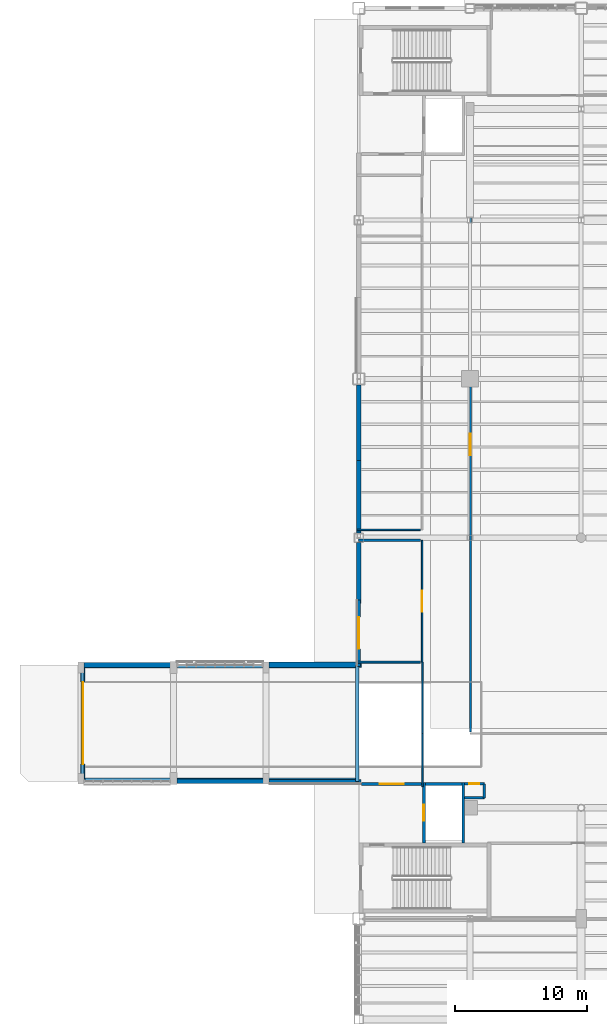
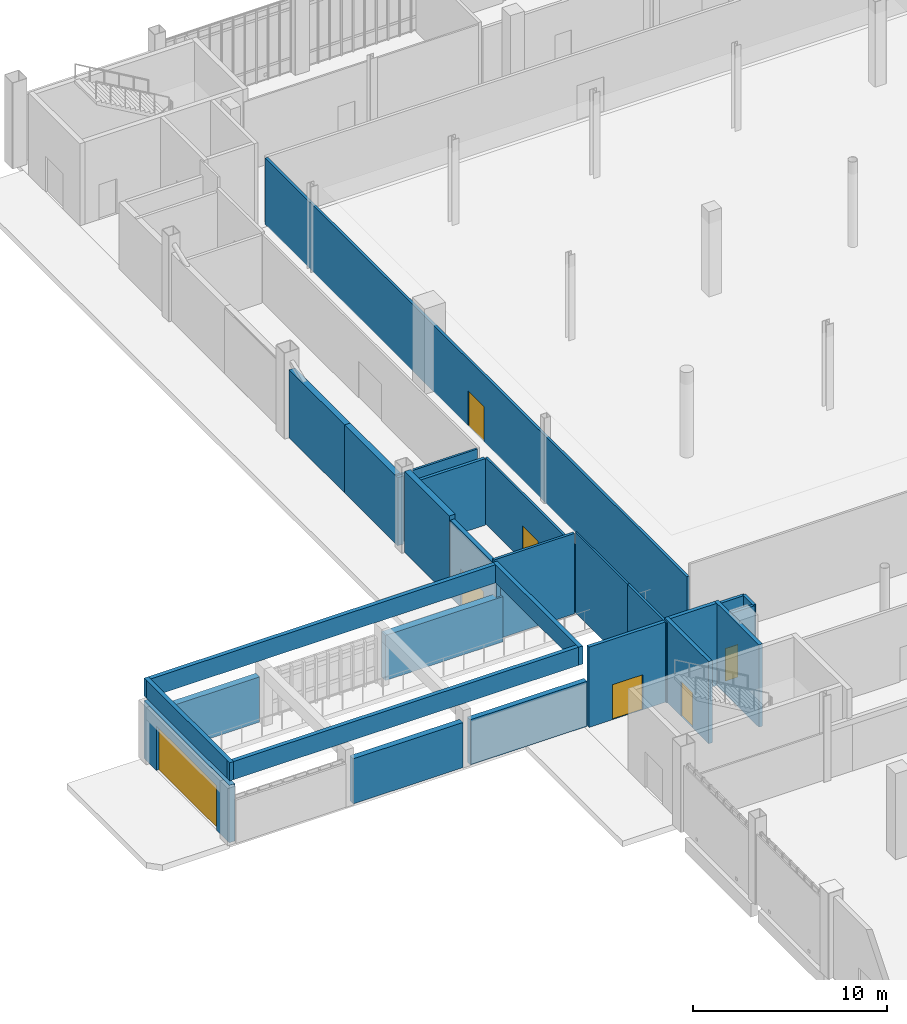
# One storey, part 85 of 111: 27 walls, 7 doors, 7 openings.
"""IFC4 building model written with IfcOpenShell, lengths in metres."""

from ifc_helpers import new_model, si_unit, direction, frame, frame_2d, origin, place, context, subcontext, project, spatial, rectangle, extrude, material, layer, layer_set, type_object, element, fill, save


model = new_model("IFC4")

# Units and contexts
model_context = context("Model", 3, precision=1e-05, world=origin(), true_north=direction((0.0, 1.0)))
body_context = subcontext(model_context, "Body", "Model", "MODEL_VIEW")
ifc_project = project(units=[si_unit("LENGTHUNIT", "METRE"), si_unit("AREAUNIT", "SQUARE_METRE"), si_unit("VOLUMEUNIT", "CUBIC_METRE"), si_unit("PLANEANGLEUNIT", "RADIAN"), si_unit("MASSUNIT", "GRAM", prefix="KILO")], contexts=[model_context])

# Site, building, storey
site_placement = place(None, origin())
site = spatial("IfcSite", under=ifc_project, at=site_placement, CompositionType="ELEMENT")
building_placement = place(site_placement, origin())
building = spatial("IfcBuilding", under=site, at=building_placement, Name="Larkvane Passage Sports Hall", CompositionType="ELEMENT")
storey_placement = place(building_placement, origin())
storey = spatial("IfcBuildingStorey", under=building, at=storey_placement, Name="L00", CompositionType="ELEMENT", Elevation=0.0)

# Wall, opening, door
ifc_material_1 = material(Name="Concrete C40/50", Category="concrete")
ifc_layer_1 = layer(ifc_material_1, 0.239990234375)
ifc_layer_set_1 = layer_set([ifc_layer_1], Name="Concrete C40/50")
wall_type_1 = type_object("IfcWallType", Name="WL-EXT-240", PredefinedType="SOLIDWALL", material=ifc_layer_set_1)
wall_1_placement = place(storey_placement, frame((34.800048828125, 41.884765625, 0.0), z_axis=(0.0, 0.0, 1.0), x_axis=(0.0, 1.0, 0.0)))
wall_1 = element("IfcWall", 1, at=wall_1_placement, inside=storey, type_object=wall_type_1, Name="Exterior wall WAL-EXT-L00-012", PredefinedType="SOLIDWALL", context=body_context, shape_type="SweptSolid", body=[
    extrude(rectangle(XDim=5.030517578125, YDim=0.239990234375, at=frame_2d((2.51513671875, 0.0))), origin(), (0.0, 0.0, 1.0), 4.818115234375),
])
opening_1_placement = place(wall_1_placement, frame((1.31494140625, 0.0, 0.0)))
opening_1 = element("IfcOpeningElement", 2, at=opening_1_placement, cuts=wall_1, Name="Opening DE-01", PredefinedType="OPENING", context=body_context, shape_type="SweptSolid", body=[
    extrude(rectangle(XDim=2.39990234375, YDim=2.39990234375, at=frame_2d((1.199951171875, 1.199951171875))), frame((0.0, 0.1298828125, 0.0), z_axis=(0.0, -1.0, 0.0), x_axis=(1.0, 0.0, 0.0)), (0.0, 0.0, 1.0), 0.260009765625),
])
ifc_material_2 = material(Name="Anodised aluminium and toughened glass", Category="aluminium")
door_type_1 = type_object("IfcDoorType", Name="DR-ENTR-2400", OperationType="DOUBLE_DOOR_SINGLE_SWING", PredefinedType="DOOR", material=ifc_material_2)
door_1_placement = place(opening_1_placement, origin())
door_1 = element("IfcDoor", 3, at=door_1_placement, inside=storey, type_object=door_type_1, Name="Exterior door L00-008", OperationType="DOUBLE_DOOR_SINGLE_SWING", OverallHeight=2.39990234375, OverallWidth=2.39990234375, PredefinedType="DOOR", context=body_context, shape_type="SweptSolid", body=[
    extrude(rectangle(XDim=2.39990234375, YDim=2.39990234375, at=frame_2d((1.199951171875, 1.199951171875))), frame((0.0, 0.02490234375, 0.0), z_axis=(0.0, -1.0, 0.0), x_axis=(1.0, 0.0, 0.0)), (0.0, 0.0, 1.0), 0.050048828125),
])
fill(opening_1, door_1)

# Wall
ifc_material_3 = material(Name="Precast concrete C45/55", Category="concrete")
ifc_layer_2 = layer(ifc_material_3, 0.31005859375)
ifc_layer_set_2 = layer_set([ifc_layer_2], Name="Precast concrete C45/55")
wall_type_2 = type_object("IfcWallType", Name="WL-EXT-310", PredefinedType="SOLIDWALL", material=ifc_layer_set_2)
wall_2_placement = place(storey_placement, frame((34.94873046875, 33.199951171875, 0.0), z_axis=(0.0, 0.0, 1.0), x_axis=(-1.0, 0.0, 0.0)))
element("IfcWall", 4, at=wall_2_placement, inside=storey, type_object=wall_type_2, Name="Exterior wall WAL-EXT-L00-008", PredefinedType="SOLIDWALL", context=body_context, shape_type="SweptSolid", body=[
    extrude(rectangle(XDim=6.927734375, YDim=0.31005859375, at=frame_2d((3.4638671875, 0.0))), origin(), (0.0, 0.0, 1.0), 2.837890625),
])

# Wall, opening, door
ifc_layer_3 = layer(ifc_material_3, 0.344970703125)
ifc_layer_set_3 = layer_set([ifc_layer_3], Name="Precast concrete C45/55")
wall_type_3 = type_object("IfcWallType", Name="WL-EXT-345", PredefinedType="SOLIDWALL", material=ifc_layer_set_3)
wall_3_placement = place(storey_placement, frame((13.949951171875, 33.199951171875, 0.0), z_axis=(0.0, 0.0, 1.0), x_axis=(0.0, 1.0, 0.0)))
wall_3 = element("IfcWall", 5, at=wall_3_placement, inside=storey, type_object=wall_type_3, Name="Basement vehicle ramp portal head wall", PredefinedType="SOLIDWALL", context=body_context, shape_type="SweptSolid", body=[
    extrude(rectangle(XDim=8.800048828125, YDim=0.344970703125, at=frame_2d((4.39990234375, 0.0))), origin(), (0.0, 0.0, 1.0), 3.60009765625),
])
opening_2_placement = place(wall_3_placement, frame((1.300048828125, 0.0, 0.0)))
opening_2 = element("IfcOpeningElement", 6, at=opening_2_placement, cuts=wall_3, Name="Opening VG-01", PredefinedType="OPENING", context=body_context, shape_type="SweptSolid", body=[
    extrude(rectangle(XDim=6.199951171875, YDim=2.800048828125, at=frame_2d((3.10009765625, 1.39990234375))), frame((0.0, 0.182373046875, 0.0), z_axis=(0.0, -1.0, 0.0), x_axis=(1.0, 0.0, 0.0)), (0.0, 0.0, 1.0), 0.364990234375),
])
ifc_material_4 = material(Name="Perforated galvanised steel S355JR gate", Category="steel")
door_type_2 = type_object("IfcDoorType", Name="DR-VGATE-6200", OperationType="ROLLINGUP", PredefinedType="GATE", material=ifc_material_4)
door_2_placement = place(opening_2_placement, origin())
door_2 = element("IfcDoor", 7, at=door_2_placement, inside=storey, type_object=door_type_2, Name="Vehicle ramp roller shutter gate VG-01", OperationType="ROLLINGUP", OverallHeight=2.800048828125, OverallWidth=6.199951171875, PredefinedType="GATE", context=body_context, shape_type="SweptSolid", body=[
    extrude(rectangle(XDim=6.199951171875, YDim=2.800048828125, at=frame_2d((3.10009765625, 1.39990234375))), frame((0.0, 0.02490234375, 0.0), z_axis=(0.0, -1.0, 0.0), x_axis=(1.0, 0.0, 0.0)), (0.0, 0.0, 1.0), 0.050048828125),
])
fill(opening_2, door_2)

# Walls
wall_4_placement = place(storey_placement, frame((27.5791015625, 33.199951171875, 0.0), z_axis=(0.0, 0.0, 1.0), x_axis=(-1.0, 0.0, 0.0)))
element("IfcWall", 8, at=wall_4_placement, inside=storey, type_object=wall_type_3, Name="Exterior wall WAL-EXT-L00-009", PredefinedType="SOLIDWALL", context=body_context, shape_type="SweptSolid", body=[
    extrude(rectangle(XDim=6.533203125, YDim=0.344970703125, at=frame_2d((3.2666015625, 0.0))), origin(), (0.0, 0.0, 1.0), 2.837890625),
])
wall_5_placement = place(storey_placement, frame((34.800048828125, 46.634521484375, 0.0), z_axis=(0.0, 0.0, 1.0), x_axis=(0.0, 1.0, 0.0)))
element("IfcWall", 9, at=wall_5_placement, inside=storey, type_object=wall_type_3, Name="Exterior wall WAL-EXT-L00-013", PredefinedType="SOLIDWALL", context=body_context, shape_type="SweptSolid", body=[
    extrude(rectangle(XDim=4.619384765625, YDim=0.344970703125, at=frame_2d((2.3095703125, 0.0))), origin(), (0.0, 0.0, 1.0), 5.10009765625),
])
wall_6_placement = place(storey_placement, frame((34.800048828125, 51.946044921875, 0.0), z_axis=(0.0, 0.0, 1.0), x_axis=(0.0, 1.0, 0.0)))
element("IfcWall", 10, at=wall_6_placement, inside=storey, type_object=wall_type_3, Name="Exterior wall WAL-EXT-L00-014", PredefinedType="SOLIDWALL", context=body_context, shape_type="SweptSolid", body=[
    extrude(rectangle(XDim=5.819580078125, YDim=0.344970703125, at=frame_2d((2.90966796875, 0.0))), origin(), (0.0, 0.0, 1.0), 4.27587890625),
])
wall_7_placement = place(storey_placement, frame((34.800048828125, 57.434326171875, 0.0), z_axis=(0.0, 0.0, 1.0), x_axis=(0.0, 1.0, 0.0)))
element("IfcWall", 11, at=wall_7_placement, inside=storey, type_object=wall_type_3, Name="Exterior wall WAL-EXT-L00-015", PredefinedType="SOLIDWALL", context=body_context, shape_type="SweptSolid", body=[
    extrude(rectangle(XDim=5.7197265625, YDim=0.344970703125, at=frame_2d((2.85986328125, 0.0))), origin(), (0.0, 0.0, 1.0), 4.27587890625),
])
ifc_layer_4 = layer(ifc_material_1, 0.385009765625)
ifc_layer_set_4 = layer_set([ifc_layer_4], Name="Concrete C40/50")
wall_type_4 = type_object("IfcWallType", Name="WL-EXT-385", PredefinedType="SOLIDWALL", material=ifc_layer_set_4)
wall_8_placement = place(storey_placement, frame((14.02099609375, 42.0, 0.0), z_axis=(0.0, 0.0, 1.0), x_axis=(1.0, 0.0, 0.0)))
element("IfcWall", 12, at=wall_8_placement, inside=storey, type_object=wall_type_4, Name="Exterior wall WAL-EXT-L00-010", PredefinedType="SOLIDWALL", context=body_context, shape_type="SweptSolid", body=[
    extrude(rectangle(XDim=6.532958984375, YDim=0.385009765625, at=frame_2d((3.2666015625, 0.0))), origin(), (0.0, 0.0, 1.0), 2.837890625),
])
ifc_layer_5 = layer(ifc_material_1, 0.425048828125)
ifc_layer_set_5 = layer_set([ifc_layer_5], Name="Concrete C40/50")
wall_type_5 = type_object("IfcWallType", Name="WL-EXT-425", PredefinedType="SOLIDWALL", material=ifc_layer_set_5)
wall_9_placement = place(storey_placement, frame((28.02099609375, 42.0, 0.0), z_axis=(0.0, 0.0, 1.0), x_axis=(1.0, 0.0, 0.0)))
element("IfcWall", 13, at=wall_9_placement, inside=storey, type_object=wall_type_5, Name="Exterior wall WAL-EXT-L00-011", PredefinedType="SOLIDWALL", context=body_context, shape_type="SweptSolid", body=[
    extrude(rectangle(XDim=6.98291015625, YDim=0.425048828125, at=frame_2d((3.491455078125, 0.0))), origin(), (0.0, 0.0, 1.0), 2.837890625),
])

# Wall, opening, door
ifc_layer_6 = layer(ifc_material_1, 0.199951171875)
ifc_layer_set_6 = layer_set([ifc_layer_6], Name="Concrete C40/50")
wall_type_6 = type_object("IfcWallType", Name="WL-LOBBY-200", PredefinedType="SOLIDWALL", material=ifc_layer_set_6)
wall_10_placement = place(storey_placement, frame((35.0, 33.0, 0.0), z_axis=(0.0, 0.0, 1.0), x_axis=(1.0, 0.0, 0.0)))
wall_10 = element("IfcWall", 14, at=wall_10_placement, inside=storey, type_object=wall_type_6, Name="Protected stair lobby wall C1 L00", PredefinedType="SOLIDWALL", context=body_context, shape_type="SweptSolid", body=[
    extrude(rectangle(XDim=4.60009765625, YDim=0.199951171875, at=frame_2d((2.300048828125, 0.0))), origin(), (0.0, 0.0, 1.0), 5.050048828125),
])
opening_3_placement = place(wall_10_placement, frame((1.39990234375, 0.0, 0.0)))
opening_3 = element("IfcOpeningElement", 15, at=opening_3_placement, cuts=wall_10, Name="Opening DF-02", PredefinedType="OPENING", context=body_context, shape_type="SweptSolid", body=[
    extrude(rectangle(XDim=1.800048828125, YDim=2.199951171875, at=frame_2d((0.89990234375, 1.10009765625))), frame((0.0, 0.10986328125, 0.0), z_axis=(0.0, -1.0, 0.0), x_axis=(1.0, 0.0, 0.0)), (0.0, 0.0, 1.0), 0.219970703125),
])
ifc_material_5 = material(Name="Steel S355JR double smoke-sealed fire door", Category="steel")
door_type_3 = type_object("IfcDoorType", Name="DR-FIRE-1800", OperationType="DOUBLE_DOOR_SINGLE_SWING", PredefinedType="DOOR", material=ifc_material_5)
door_3_placement = place(opening_3_placement, origin())
door_3 = element("IfcDoor", 16, at=door_3_placement, inside=storey, type_object=door_type_3, Name="Lobby smoke door C1 L00", OperationType="DOUBLE_DOOR_SINGLE_SWING", OverallHeight=2.199951171875, OverallWidth=1.800048828125, PredefinedType="DOOR", context=body_context, shape_type="SweptSolid", body=[
    extrude(rectangle(XDim=1.800048828125, YDim=2.199951171875, at=frame_2d((0.89990234375, 1.10009765625))), frame((0.0, 0.02490234375, 0.0), z_axis=(0.0, -1.0, 0.0), x_axis=(1.0, 0.0, 0.0)), (0.0, 0.0, 1.0), 0.050048828125),
])
fill(opening_3, door_3)

# Walls
ifc_layer_7 = layer(ifc_material_3, 0.2451171875)
ifc_layer_set_7 = layer_set([ifc_layer_7], Name="Precast concrete C45/55")
wall_type_7 = type_object("IfcWallType", Name="WL-PAR-245", PredefinedType="PARAPET", material=ifc_layer_set_7)
wall_11_placement = place(storey_placement, frame((13.800048828125, 33.324951171875, 3.8798828125), z_axis=(0.0, 0.0, 1.0), x_axis=(1.0, 0.0, 0.0)))
element("IfcWall", 17, at=wall_11_placement, inside=storey, type_object=wall_type_7, Name="Ramp portal canopy parapet PAR-L00-RAMP-S", PredefinedType="PARAPET", context=body_context, shape_type="SweptSolid", body=[
    extrude(rectangle(XDim=21.0, YDim=0.2451171875, at=frame_2d((10.5, 0.0))), origin(), (0.0, 0.0, 1.0), 1.14013671875),
])
wall_12_placement = place(storey_placement, frame((13.925048828125, 33.199951171875, 3.8798828125), z_axis=(0.0, 0.0, 1.0), x_axis=(0.0, 1.0, 0.0)))
element("IfcWall", 18, at=wall_12_placement, inside=storey, type_object=wall_type_7, Name="Ramp portal canopy parapet PAR-L00-RAMP-W", PredefinedType="PARAPET", context=body_context, shape_type="SweptSolid", body=[
    extrude(rectangle(XDim=8.800048828125, YDim=0.2451171875, at=frame_2d((4.39990234375, 0.0))), origin(), (0.0, 0.0, 1.0), 1.14013671875),
])
wall_13_placement = place(storey_placement, frame((34.800048828125, 41.875, 3.8798828125), z_axis=(0.0, 0.0, 1.0), x_axis=(-1.0, 0.0, 0.0)))
element("IfcWall", 19, at=wall_13_placement, inside=storey, type_object=wall_type_7, Name="Ramp portal canopy parapet PAR-L00-RAMP-N", PredefinedType="PARAPET", context=body_context, shape_type="SweptSolid", body=[
    extrude(rectangle(XDim=21.0, YDim=0.2451171875, at=frame_2d((10.5, 0.0))), origin(), (0.0, 0.0, 1.0), 1.14013671875),
])
wall_14_placement = place(storey_placement, frame((34.675048828125, 42.0, 3.8798828125), z_axis=(0.0, 0.0, 1.0), x_axis=(0.0, -1.0, 0.0)))
element("IfcWall", 20, at=wall_14_placement, inside=storey, type_object=wall_type_7, Name="Ramp portal canopy parapet PAR-L00-RAMP-E", PredefinedType="PARAPET", context=body_context, shape_type="SweptSolid", body=[
    extrude(rectangle(XDim=8.800048828125, YDim=0.2451171875, at=frame_2d((4.39990234375, 0.0))), origin(), (0.0, 0.0, 1.0), 1.14013671875),
])
ifc_material_6 = material(Name="Gypsum twin-stud acoustic partition")
ifc_layer_8 = layer(ifc_material_6, 0.10009765625)
ifc_layer_set_8 = layer_set([ifc_layer_8], Name="Gypsum twin-stud acoustic partition")
wall_type_8 = type_object("IfcWallType", Name="WL-PART-100", PredefinedType="PARTITIONING", material=ifc_layer_set_8)
wall_15_placement = place(storey_placement, frame((39.60009765625, 36.820068359375, 0.0), z_axis=(0.0, 0.0, 1.0), x_axis=(0.0, 1.0, 0.0)))
element("IfcWall", 21, at=wall_15_placement, inside=storey, type_object=wall_type_8, Name="Interior partition WAL-PART-L00-0096", PredefinedType="PARTITIONING", context=body_context, shape_type="SweptSolid", body=[
    extrude(rectangle(XDim=5.3798828125, YDim=0.10009765625, at=frame_2d((2.68994140625, 0.0))), origin(), (0.0, 0.0, 1.0), 5.050048828125),
])

# Wall, opening, door
ifc_material_7 = material(Name="Gypsum twin-stud fire-rated partition")
ifc_layer_9 = layer(ifc_material_7, 0.125)
ifc_layer_set_9 = layer_set([ifc_layer_9], Name="Gypsum twin-stud fire-rated partition")
wall_type_9 = type_object("IfcWallType", Name="WL-PART-125", PredefinedType="PARTITIONING", material=ifc_layer_set_9)
wall_16_placement = place(storey_placement, frame((39.580078125, 51.39990234375, 0.0), z_axis=(0.0, 0.0, 1.0), x_axis=(0.0, -1.0, 0.0)))
wall_16 = element("IfcWall", 22, at=wall_16_placement, inside=storey, type_object=wall_type_9, Name="Interior partition WAL-PART-L00-0065", PredefinedType="PARTITIONING", context=body_context, shape_type="SweptSolid", body=[
    extrude(rectangle(XDim=9.199951171875, YDim=0.125, at=frame_2d((4.60009765625, 0.0))), origin(), (0.0, 0.0, 1.0), 4.177978515625),
])
opening_4_placement = place(wall_16_placement, frame((3.800048828125, 0.0, 0.0)))
opening_4 = element("IfcOpeningElement", 23, at=opening_4_placement, cuts=wall_16, Name="Opening DI-03", PredefinedType="OPENING", context=body_context, shape_type="SweptSolid", body=[
    extrude(rectangle(XDim=1.60009765625, YDim=2.199951171875, at=frame_2d((0.800048828125, 1.10009765625))), frame((0.0, 0.072509765625, 0.0), z_axis=(0.0, -1.0, 0.0), x_axis=(1.0, 0.0, 0.0)), (0.0, 0.0, 1.0), 0.14501953125),
])
ifc_material_8 = material(Name="Glazed aluminium studio double door", Category="aluminium")
door_type_4 = type_object("IfcDoorType", Name="DR-INT-1600", OperationType="DOUBLE_DOOR_SINGLE_SWING", PredefinedType="DOOR", material=ifc_material_8)
door_4_placement = place(opening_4_placement, origin())
door_4 = element("IfcDoor", 24, at=door_4_placement, inside=storey, type_object=door_type_4, Name="Interior door L00-0030", OperationType="DOUBLE_DOOR_SINGLE_SWING", OverallHeight=2.199951171875, OverallWidth=1.60009765625, PredefinedType="DOOR", context=body_context, shape_type="SweptSolid", body=[
    extrude(rectangle(XDim=1.60009765625, YDim=2.199951171875, at=frame_2d((0.800048828125, 1.10009765625))), frame((0.0, 0.02490234375, 0.0), z_axis=(0.0, -1.0, 0.0), x_axis=(1.0, 0.0, 0.0)), (0.0, 0.0, 1.0), 0.050048828125),
])
fill(opening_4, door_4)

# Walls
wall_17_placement = place(storey_placement, frame((39.4599609375, 52.199951171875, 0.0), z_axis=(0.0, 0.0, 1.0), x_axis=(-1.0, 0.0, 0.0)))
element("IfcWall", 25, at=wall_17_placement, inside=storey, type_object=wall_type_9, Name="Interior partition WAL-PART-L00-0069", PredefinedType="PARTITIONING", context=body_context, shape_type="SweptSolid", body=[
    extrude(rectangle(XDim=4.8115234375, YDim=0.125, at=frame_2d((2.40576171875, 0.0))), origin(), (0.0, 0.0, 1.0), 4.278076171875),
])
wall_18_placement = place(storey_placement, frame((39.60009765625, 32.800048828125, 0.0), z_axis=(0.0, 0.0, 1.0), x_axis=(0.0, 1.0, 0.0)))
element("IfcWall", 26, at=wall_18_placement, inside=storey, type_object=wall_type_9, Name="Interior partition WAL-PART-L00-0093", PredefinedType="PARTITIONING", context=body_context, shape_type="SweptSolid", body=[
    extrude(rectangle(XDim=4.0, YDim=0.125, at=frame_2d((2.0, 0.0))), origin(), (0.0, 0.0, 1.0), 5.050048828125),
])

# Wall, opening, door
ifc_material_9 = material(Name="Gypsum acoustic partition")
ifc_layer_10 = layer(ifc_material_9, 0.14990234375)
ifc_layer_set_10 = layer_set([ifc_layer_10], Name="Gypsum acoustic partition")
wall_type_10 = type_object("IfcWallType", Name="WL-PART-150", PredefinedType="PARTITIONING", material=ifc_layer_set_10)
wall_19_placement = place(storey_placement, frame((43.219970703125, 36.93994140625, 0.0), z_axis=(0.0, 0.0, 1.0), x_axis=(0.0, 1.0, 0.0)))
wall_19 = element("IfcWall", 27, at=wall_19_placement, inside=storey, type_object=wall_type_10, Name="Interior partition WAL-PART-L00-0050", PredefinedType="PARTITIONING", context=body_context, shape_type="SweptSolid", body=[
    extrude(rectangle(XDim=43.420166015625, YDim=0.14990234375, at=frame_2d((21.7099609375, 0.0))), origin(), (0.0, 0.0, 1.0), 4.169921875),
])
opening_5_placement = place(wall_19_placement, frame((20.909912109375, 0.0, 0.0)))
opening_5 = element("IfcOpeningElement", 28, at=opening_5_placement, cuts=wall_19, Name="Opening DI-03", PredefinedType="OPENING", context=body_context, shape_type="SweptSolid", body=[
    extrude(rectangle(XDim=1.60009765625, YDim=2.199951171875, at=frame_2d((0.800048828125, 1.10009765625))), frame((0.0, 0.0849609375, 0.0), z_axis=(0.0, -1.0, 0.0), x_axis=(1.0, 0.0, 0.0)), (0.0, 0.0, 1.0), 0.169921875),
])
door_5_placement = place(opening_5_placement, origin())
door_5 = element("IfcDoor", 29, at=door_5_placement, inside=storey, type_object=door_type_4, Name="Interior door L00-0016", OperationType="DOUBLE_DOOR_SINGLE_SWING", OverallHeight=2.199951171875, OverallWidth=1.60009765625, PredefinedType="DOOR", context=body_context, shape_type="SweptSolid", body=[
    extrude(rectangle(XDim=1.60009765625, YDim=2.199951171875, at=frame_2d((0.800048828125, 1.10009765625))), frame((0.0, 0.02490234375, 0.0), z_axis=(0.0, -1.0, 0.0), x_axis=(1.0, 0.0, 0.0)), (0.0, 0.0, 1.0), 0.050048828125),
])
fill(opening_5, door_5)

# Walls
wall_20_placement = place(storey_placement, frame((39.4599609375, 42.199951171875, 0.0), z_axis=(0.0, 0.0, 1.0), x_axis=(-1.0, 0.0, 0.0)))
element("IfcWall", 30, at=wall_20_placement, inside=storey, type_object=wall_type_10, Name="Interior partition WAL-PART-L00-0066", PredefinedType="PARTITIONING", context=body_context, shape_type="SweptSolid", body=[
    extrude(rectangle(XDim=4.77587890625, YDim=0.14990234375, at=frame_2d((2.387939453125, 0.0))), origin(), (0.0, 0.0, 1.0), 5.050048828125),
])
ifc_material_10 = material(Name="Gypsum high-bay court partition")
ifc_layer_11 = layer(ifc_material_10, 0.179931640625)
ifc_layer_set_11 = layer_set([ifc_layer_11], Name="Gypsum high-bay court partition")
wall_type_11 = type_object("IfcWallType", Name="WL-PART-180", PredefinedType="PARTITIONING", material=ifc_layer_set_11)
wall_21_placement = place(storey_placement, frame((34.785888671875, 51.39990234375, 0.0), z_axis=(0.0, 0.0, 1.0), x_axis=(1.0, 0.0, 0.0)))
element("IfcWall", 31, at=wall_21_placement, inside=storey, type_object=wall_type_11, Name="Interior partition WAL-PART-L00-0067", PredefinedType="PARTITIONING", context=body_context, shape_type="SweptSolid", body=[
    extrude(rectangle(XDim=4.674072265625, YDim=0.179931640625, at=frame_2d((2.3369140625, 0.0))), origin(), (0.0, 0.0, 1.0), 4.177978515625),
])

# Wall, opening, door
ifc_material_11 = material(Name="Moisture-resistant shaftliner partition")
ifc_layer_12 = layer(ifc_material_11, 0.175048828125)
ifc_layer_set_12 = layer_set([ifc_layer_12], Name="Moisture-resistant shaftliner partition")
wall_type_12 = type_object("IfcWallType", Name="WL-PLUMB-175", PredefinedType="PLUMBINGWALL", material=ifc_layer_set_12)
wall_22_placement = place(storey_placement, frame((42.800048828125, 33.010009765625, 0.0), z_axis=(0.0, 0.0, 1.0), x_axis=(1.0, 0.0, 0.0)))
wall_22 = element("IfcWall", 32, at=wall_22_placement, inside=storey, type_object=wall_type_12, Name="Service riser chase front wall C1 L00", PredefinedType="PLUMBINGWALL", context=body_context, shape_type="SweptSolid", body=[
    extrude(rectangle(XDim=1.47998046875, YDim=0.175048828125, at=frame_2d((0.739990234375, 0.0))), origin(), (0.0, 0.0, 1.0), 5.050048828125),
])
opening_6_placement = place(wall_22_placement, frame((0.360107421875, 0.0, 0.0)))
opening_6 = element("IfcOpeningElement", 33, at=opening_6_placement, cuts=wall_22, Name="Opening DA-01", PredefinedType="OPENING", context=body_context, shape_type="SweptSolid", body=[
    extrude(rectangle(XDim=0.75, YDim=2.050048828125, at=frame_2d((0.375, 1.02490234375))), frame((0.0, 0.097412109375, 0.0), z_axis=(0.0, -1.0, 0.0), x_axis=(1.0, 0.0, 0.0)), (0.0, 0.0, 1.0), 0.195068359375),
])
ifc_material_12 = material(Name="Steel S355JR service riser access door", Category="steel")
door_type_5 = type_object("IfcDoorType", Name="DR-RISER-750", OperationType="NOTDEFINED", PredefinedType="DOOR", material=ifc_material_12)
door_6_placement = place(opening_6_placement, origin())
door_6 = element("IfcDoor", 34, at=door_6_placement, inside=storey, type_object=door_type_5, Name="Service riser access door C1 L00", OperationType="SINGLE_SWING_LEFT", OverallHeight=2.050048828125, OverallWidth=0.75, PredefinedType="DOOR", context=body_context, shape_type="SweptSolid", body=[
    extrude(rectangle(XDim=0.75, YDim=2.050048828125, at=frame_2d((0.375, 1.02490234375))), frame((0.0, 0.02490234375, 0.0), z_axis=(0.0, -1.0, 0.0), x_axis=(1.0, 0.0, 0.0)), (0.0, 0.0, 1.0), 0.050048828125),
])
fill(opening_6, door_6)

# Walls
wall_23_placement = place(storey_placement, frame((44.280029296875, 31.949951171875, 0.0), z_axis=(0.0, 0.0, 1.0), x_axis=(0.0, 1.0, 0.0)))
element("IfcWall", 35, at=wall_23_placement, inside=storey, type_object=wall_type_12, Name="Service riser chase side wall C1 L00", PredefinedType="PLUMBINGWALL", context=body_context, shape_type="SweptSolid", body=[
    extrude(rectangle(XDim=1.06005859375, YDim=0.175048828125, at=frame_2d((0.530029296875, 0.0))), origin(), (0.0, 0.0, 1.0), 5.050048828125),
])
wall_24_placement = place(storey_placement, frame((42.800048828125, 31.949951171875, 0.0), z_axis=(0.0, 0.0, 1.0), x_axis=(1.0, 0.0, 0.0)))
element("IfcWall", 36, at=wall_24_placement, inside=storey, type_object=wall_type_12, Name="Service riser chase rear wall C1 L00", PredefinedType="PLUMBINGWALL", context=body_context, shape_type="SweptSolid", body=[
    extrude(rectangle(XDim=1.47998046875, YDim=0.175048828125, at=frame_2d((0.739990234375, 0.0))), origin(), (0.0, 0.0, 1.0), 5.050048828125),
])

# Wall, opening, door
ifc_layer_13 = layer(ifc_material_1, 0.219970703125)
ifc_layer_set_13 = layer_set([ifc_layer_13], Name="Concrete C40/50")
wall_type_13 = type_object("IfcWallType", Name="WL-SHAFT-220", PredefinedType="SOLIDWALL", material=ifc_layer_set_13)
wall_25_placement = place(storey_placement, frame((39.7099609375, 28.550048828125, 0.0), z_axis=(0.0, 0.0, 1.0), x_axis=(0.0, 1.0, 0.0)))
wall_25 = element("IfcWall", 37, at=wall_25_placement, inside=storey, type_object=wall_type_13, Name="Lift shaft front wall FL-01 L00", PredefinedType="SOLIDWALL", context=body_context, shape_type="SweptSolid", body=[
    extrude(rectangle(XDim=4.550048828125, YDim=0.219970703125, at=frame_2d((2.27490234375, 0.0))), origin(), (0.0, 0.0, 1.0), 5.169921875),
])
opening_7_placement = place(wall_25_placement, frame((1.675048828125, 0.0, 0.0)))
opening_7 = element("IfcOpeningElement", 38, at=opening_7_placement, cuts=wall_25, Name="Opening LD-01", PredefinedType="OPENING", context=body_context, shape_type="SweptSolid", body=[
    extrude(rectangle(XDim=1.199951171875, YDim=2.199951171875, at=frame_2d((0.60009765625, 1.10009765625))), frame((0.0, 0.119873046875, 0.0), z_axis=(0.0, -1.0, 0.0), x_axis=(1.0, 0.0, 0.0)), (0.0, 0.0, 1.0), 0.239990234375),
])
ifc_material_13 = material(Name="Stainless steel S355JR lift landing door", Category="steel")
door_type_6 = type_object("IfcDoorType", Name="DR-LIFT-1200", OperationType="SLIDING_TO_LEFT", PredefinedType="DOOR", material=ifc_material_13)
door_7_placement = place(opening_7_placement, origin())
door_7 = element("IfcDoor", 39, at=door_7_placement, inside=storey, type_object=door_type_6, Name="Lift landing door FL-01 L00", OperationType="SLIDING_TO_LEFT", OverallHeight=2.199951171875, OverallWidth=1.199951171875, PredefinedType="DOOR", context=body_context, shape_type="SweptSolid", body=[
    extrude(rectangle(XDim=1.199951171875, YDim=2.199951171875, at=frame_2d((0.60009765625, 1.10009765625))), frame((0.0, 0.02490234375, 0.0), z_axis=(0.0, -1.0, 0.0), x_axis=(1.0, 0.0, 0.0)), (0.0, 0.0, 1.0), 0.050048828125),
])
fill(opening_7, door_7)

# Walls
wall_26_placement = place(storey_placement, frame((42.68994140625, 28.550048828125, 0.0), z_axis=(0.0, 0.0, 1.0), x_axis=(0.0, 1.0, 0.0)))
element("IfcWall", 40, at=wall_26_placement, inside=storey, type_object=wall_type_13, Name="Lift shaft rear wall FL-01 L00", PredefinedType="SOLIDWALL", context=body_context, shape_type="SweptSolid", body=[
    extrude(rectangle(XDim=4.550048828125, YDim=0.219970703125, at=frame_2d((2.27490234375, 0.0))), origin(), (0.0, 0.0, 1.0), 5.169921875),
])
wall_27_placement = place(storey_placement, frame((39.820068359375, 32.989990234375, 0.0), z_axis=(0.0, 0.0, 1.0), x_axis=(1.0, 0.0, 0.0)))
element("IfcWall", 41, at=wall_27_placement, inside=storey, type_object=wall_type_13, Name="Lift shaft end wall FL-01 L00", PredefinedType="SOLIDWALL", context=body_context, shape_type="SweptSolid", body=[
    extrude(rectangle(XDim=2.760009765625, YDim=0.219970703125, at=frame_2d((1.3798828125, 0.0))), origin(), (0.0, 0.0, 1.0), 5.169921875),
])

save(model, "model.ifc")
